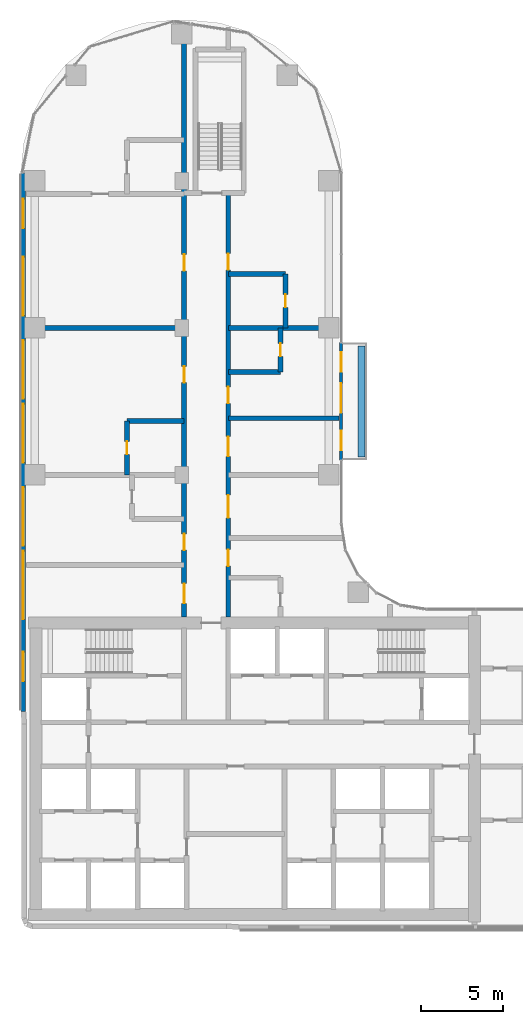
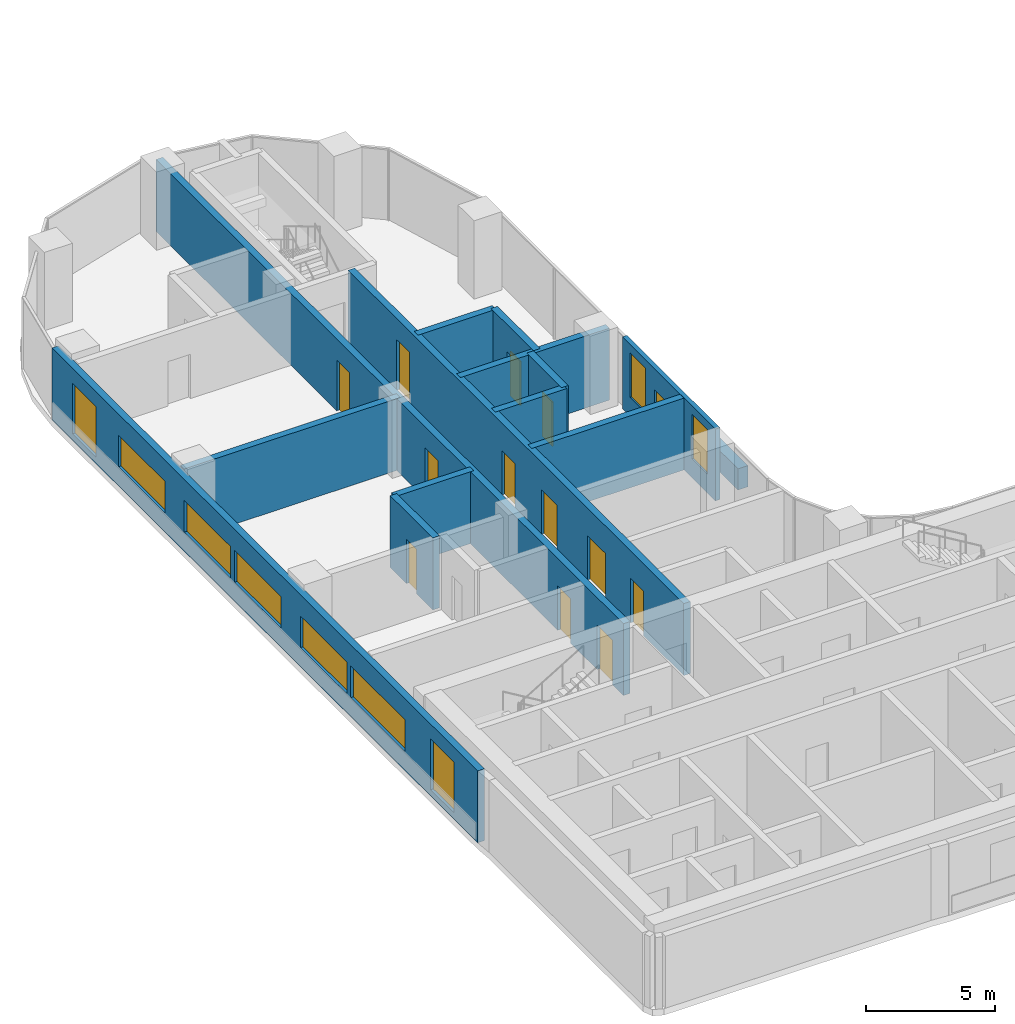
# One storey, part 22 of 35: 14 walls, 13 doors, 9 windows, 22 openings.
"""IFC4 building model written with IfcOpenShell, lengths in metres."""

from ifc_helpers import new_model, si_unit, direction, frame, frame_2d, origin, origin_2d, place, context, subcontext, project, spatial, rectangle, extrude, material, layer, layer_set, type_object, element, fill, save


model = new_model("IFC4")

# Units and contexts
model_context = context("Model", 3, precision=1e-05, world=origin(), true_north=direction((0.0, 1.0)))
body_context = subcontext(model_context, "Body", "Model", "MODEL_VIEW")
ifc_project = project(units=[si_unit("LENGTHUNIT", "METRE"), si_unit("AREAUNIT", "SQUARE_METRE"), si_unit("VOLUMEUNIT", "CUBIC_METRE"), si_unit("PLANEANGLEUNIT", "RADIAN"), si_unit("MASSUNIT", "GRAM", prefix="KILO")], contexts=[model_context])

# Site, building, storey
site_placement = place(None, origin())
site = spatial("IfcSite", under=ifc_project, at=site_placement, CompositionType="ELEMENT")
building_placement = place(site_placement, origin())
building = spatial("IfcBuilding", under=site, at=building_placement, Name="Ogive Portal Towers", CompositionType="ELEMENT")
storey_placement = place(building_placement, frame((0.0, 0.0, 90.800048828125)))
storey = spatial("IfcBuildingStorey", under=building, at=storey_placement, Name="L21", CompositionType="ELEMENT", Elevation=90.800048828125)

# Wall, openings, door, windows
ifc_material_1 = material(Name="Limestone cladding on lightweight block wall", Category="masonry")
ifc_layer_1 = layer(ifc_material_1, 0.199951171875)
ifc_layer_set_1 = layer_set([ifc_layer_1], Name="BALCONY BAY WALL 200")
wall_type_1 = type_object("IfcWallType", Name="BALCONY BAY WALL 200", PredefinedType="SOLIDWALL", material=ifc_layer_set_1)
wall_1_placement = place(storey_placement, frame((50.2548828125, 56.60009765625, 0.0), z_axis=(0.0, 0.0, 1.0), x_axis=(0.0, -1.0, 0.0)))
wall_1 = element("IfcWall", 1, at=wall_1_placement, inside=storey, type_object=wall_type_1, Name="A:L21:f17:bay0", PredefinedType="SOLIDWALL", context=body_context, shape_type="SweptSolid", body=[
    extrude(rectangle(XDim=7.2001953125, YDim=0.199951171875, at=frame_2d((3.60009765625, 0.0))), origin(), (0.0, 0.0, 1.0), 3.39990234375),
])
opening_1_placement = place(wall_1_placement, frame((2.5, 0.0, 0.0)))
opening_1 = element("IfcOpeningElement", 2, at=opening_1_placement, cuts=wall_1, Name="Opening DX031", PredefinedType="OPENING", context=body_context, shape_type="SweptSolid", body=[
    extrude(rectangle(XDim=1.800048828125, YDim=2.39990234375, at=frame_2d((0.89990234375, 1.199951171875))), frame((0.0, 0.10986328125, 0.0), z_axis=(0.0, -1.0, 0.0), x_axis=(1.0, 0.0, 0.0)), (0.0, 0.0, 1.0), 0.219970703125),
])
opening_2_placement = place(wall_1_placement, frame((5.39990234375, 0.0, 0.89990234375)))
opening_2 = element("IfcOpeningElement", 3, at=opening_2_placement, cuts=wall_1, Name="Opening WN2", PredefinedType="OPENING", context=body_context, shape_type="SweptSolid", body=[
    extrude(rectangle(XDim=1.199951171875, YDim=2.10009765625, at=frame_2d((0.60009765625, 1.050048828125))), frame((0.0, 0.10986328125, 0.0), z_axis=(0.0, -1.0, 0.0), x_axis=(1.0, 0.0, 0.0)), (0.0, 0.0, 1.0), 0.219970703125),
])
opening_3_placement = place(wall_1_placement, frame((0.60009765625, 0.0, 0.89990234375)))
opening_3 = element("IfcOpeningElement", 4, at=opening_3_placement, cuts=wall_1, Name="Opening WN2", PredefinedType="OPENING", context=body_context, shape_type="SweptSolid", body=[
    extrude(rectangle(XDim=1.199951171875, YDim=2.10009765625, at=frame_2d((0.60009765625, 1.050048828125))), frame((0.0, 0.10986328125, 0.0), z_axis=(0.0, -1.0, 0.0), x_axis=(1.0, 0.0, 0.0)), (0.0, 0.0, 1.0), 0.219970703125),
])
ifc_material_2 = material(Name="Aluminium 6063 anodised", Category="aluminium")
door_type_1 = type_object("IfcDoorType", Name="BALCONY DOOR 1800x2400", OperationType="DOUBLE_DOOR_SINGLE_SWING", PredefinedType="DOOR", material=ifc_material_2)
door_1_placement = place(opening_1_placement, origin())
door_1 = element("IfcDoor", 5, at=door_1_placement, inside=storey, type_object=door_type_1, Name="A:L21:f17:bay0/o0", OperationType="SINGLE_SWING_LEFT", OverallHeight=2.39990234375, OverallWidth=1.800048828125, PredefinedType="DOOR", context=body_context, shape_type="SweptSolid", body=[
    extrude(rectangle(XDim=1.800048828125, YDim=2.39990234375, at=frame_2d((0.89990234375, 1.199951171875))), frame((0.0, 0.02490234375, 0.0), z_axis=(0.0, -1.0, 0.0), x_axis=(1.0, 0.0, 0.0)), (0.0, 0.0, 1.0), 0.050048828125),
])
fill(opening_1, door_1)
ifc_material_3 = material(Name="Glass, clear low-iron insulated glazing", Category="glass")
window_type_1 = type_object("IfcWindowType", Name="WINDOW BALCONY BAY 1200x2100", PartitioningType="SINGLE_PANEL", PredefinedType="WINDOW", material=ifc_material_3)
window_1_placement = place(opening_2_placement, origin())
window_1 = element("IfcWindow", 6, at=window_1_placement, inside=storey, type_object=window_type_1, Name="A:L21:f17:bay0/o1", OverallHeight=2.10009765625, OverallWidth=1.199951171875, PartitioningType="SINGLE_PANEL", PredefinedType="WINDOW", context=body_context, shape_type="SweptSolid", body=[
    extrude(rectangle(XDim=1.199951171875, YDim=2.10009765625, at=frame_2d((0.60009765625, 1.050048828125))), frame((0.0, 0.030029296875, 0.0), z_axis=(0.0, -1.0, 0.0), x_axis=(1.0, 0.0, 0.0)), (0.0, 0.0, 1.0), 0.06005859375),
])
fill(opening_2, window_1)
window_2_placement = place(opening_3_placement, origin())
window_2 = element("IfcWindow", 7, at=window_2_placement, inside=storey, type_object=window_type_1, Name="A:L21:f17:bay0/o2", OverallHeight=2.10009765625, OverallWidth=1.199951171875, PartitioningType="SINGLE_PANEL", PredefinedType="WINDOW", context=body_context, shape_type="SweptSolid", body=[
    extrude(rectangle(XDim=1.199951171875, YDim=2.10009765625, at=frame_2d((0.60009765625, 1.050048828125))), frame((0.0, 0.030029296875, 0.0), z_axis=(0.0, -1.0, 0.0), x_axis=(1.0, 0.0, 0.0)), (0.0, 0.0, 1.0), 0.06005859375),
])
fill(opening_3, window_2)

# Wall, openings, windows
ifc_layer_2 = layer(ifc_material_1, 0.300048828125)
ifc_layer_set_2 = layer_set([ifc_layer_2], Name="EXTERNAL WALL 300 STONE")
wall_type_2 = type_object("IfcWallType", Name="EXTERNAL WALL 300 STONE", PredefinedType="SOLIDWALL", material=ifc_layer_set_2)
wall_2_placement = place(storey_placement, frame((30.794921875, 66.9921875, 0.0), z_axis=(0.0, 0.0, 1.0), x_axis=(0.0, -1.0, 0.0)))
wall_2 = element("IfcWall", 8, at=wall_2_placement, inside=storey, type_object=wall_type_2, Name="A:L21:f24:r0:wall", PredefinedType="SOLIDWALL", context=body_context, shape_type="SweptSolid", body=[
    extrude(rectangle(XDim=32.9814453125, YDim=0.300048828125, at=frame_2d((16.49072265625, 0.0))), origin(), (0.0, 0.0, 1.0), 3.39990234375),
])
opening_4_placement = place(wall_2_placement, frame((1.595947265625, 0.0, 0.300048828125)))
opening_4 = element("IfcOpeningElement", 9, at=opening_4_placement, cuts=wall_2, Name="Opening WN10", PredefinedType="OPENING", context=body_context, shape_type="SweptSolid", body=[
    extrude(rectangle(XDim=1.800048828125, YDim=2.39990234375, at=frame_2d((0.89990234375, 1.199951171875))), frame((0.0, 0.16015625, 0.0), z_axis=(0.0, -1.0, 0.0), x_axis=(1.0, 0.0, 0.0)), (0.0, 0.0, 1.0), 0.320068359375),
])
opening_5_placement = place(wall_2_placement, frame((5.14208984375, 0.0, 0.89990234375)))
opening_5 = element("IfcOpeningElement", 10, at=opening_5_placement, cuts=wall_2, Name="Opening WN12", PredefinedType="OPENING", context=body_context, shape_type="SweptSolid", body=[
    extrude(rectangle(XDim=3.60009765625, YDim=1.5, at=frame_2d((1.800048828125, 0.75))), frame((0.0, 0.16015625, 0.0), z_axis=(0.0, -1.0, 0.0), x_axis=(1.0, 0.0, 0.0)), (0.0, 0.0, 1.0), 0.320068359375),
])
opening_6_placement = place(wall_2_placement, frame((10.2421875, 0.0, 0.89990234375)))
opening_6 = element("IfcOpeningElement", 11, at=opening_6_placement, cuts=wall_2, Name="Opening WN12", PredefinedType="OPENING", context=body_context, shape_type="SweptSolid", body=[
    extrude(rectangle(XDim=3.60009765625, YDim=1.5, at=frame_2d((1.800048828125, 0.75))), frame((0.0, 0.16015625, 0.0), z_axis=(0.0, -1.0, 0.0), x_axis=(1.0, 0.0, 0.0)), (0.0, 0.0, 1.0), 0.320068359375),
])
opening_7_placement = place(wall_2_placement, frame((14.14208984375, 0.0, 0.89990234375)))
opening_7 = element("IfcOpeningElement", 12, at=opening_7_placement, cuts=wall_2, Name="Opening WN12", PredefinedType="OPENING", context=body_context, shape_type="SweptSolid", body=[
    extrude(rectangle(XDim=3.60009765625, YDim=1.5, at=frame_2d((1.800048828125, 0.75))), frame((0.0, 0.16015625, 0.0), z_axis=(0.0, -1.0, 0.0), x_axis=(1.0, 0.0, 0.0)), (0.0, 0.0, 1.0), 0.320068359375),
])
opening_8_placement = place(wall_2_placement, frame((19.2421875, 0.0, 0.89990234375)))
opening_8 = element("IfcOpeningElement", 13, at=opening_8_placement, cuts=wall_2, Name="Opening WN12", PredefinedType="OPENING", context=body_context, shape_type="SweptSolid", body=[
    extrude(rectangle(XDim=3.60009765625, YDim=1.5, at=frame_2d((1.800048828125, 0.75))), frame((0.0, 0.16015625, 0.0), z_axis=(0.0, -1.0, 0.0), x_axis=(1.0, 0.0, 0.0)), (0.0, 0.0, 1.0), 0.320068359375),
])
opening_9_placement = place(wall_2_placement, frame((23.14208984375, 0.0, 0.89990234375)))
opening_9 = element("IfcOpeningElement", 14, at=opening_9_placement, cuts=wall_2, Name="Opening WN11", PredefinedType="OPENING", context=body_context, shape_type="SweptSolid", body=[
    extrude(rectangle(XDim=4.199951171875, YDim=1.5, at=frame_2d((2.10009765625, 0.75))), frame((0.0, 0.16015625, 0.0), z_axis=(0.0, -1.0, 0.0), x_axis=(1.0, 0.0, 0.0)), (0.0, 0.0, 1.0), 0.320068359375),
])
opening_10_placement = place(wall_2_placement, frame((29.336669921875, 0.0, 0.300048828125)))
opening_10 = element("IfcOpeningElement", 15, at=opening_10_placement, cuts=wall_2, Name="Opening WN10", PredefinedType="OPENING", context=body_context, shape_type="SweptSolid", body=[
    extrude(rectangle(XDim=1.800048828125, YDim=2.39990234375, at=frame_2d((0.89990234375, 1.199951171875))), frame((0.0, 0.16015625, 0.0), z_axis=(0.0, -1.0, 0.0), x_axis=(1.0, 0.0, 0.0)), (0.0, 0.0, 1.0), 0.320068359375),
])
window_type_2 = type_object("IfcWindowType", Name="WINDOW RIBBON 3600x1500", PartitioningType="TRIPLE_PANEL_VERTICAL", PredefinedType="WINDOW", material=ifc_material_3)
window_3_placement = place(opening_5_placement, origin())
window_3 = element("IfcWindow", 16, at=window_3_placement, inside=storey, type_object=window_type_2, Name="A:L21:f24:r0:w1", OverallHeight=1.5, OverallWidth=3.60009765625, PartitioningType="SINGLE_PANEL", PredefinedType="WINDOW", context=body_context, shape_type="SweptSolid", body=[
    extrude(rectangle(XDim=3.60009765625, YDim=1.5, at=frame_2d((1.800048828125, 0.75))), frame((0.0, 0.030029296875, 0.0), z_axis=(0.0, -1.0, 0.0), x_axis=(1.0, 0.0, 0.0)), (0.0, 0.0, 1.0), 0.06005859375),
])
fill(opening_5, window_3)
window_4_placement = place(opening_6_placement, origin())
window_4 = element("IfcWindow", 17, at=window_4_placement, inside=storey, type_object=window_type_2, Name="A:L21:f24:r0:w2", OverallHeight=1.5, OverallWidth=3.60009765625, PartitioningType="SINGLE_PANEL", PredefinedType="WINDOW", context=body_context, shape_type="SweptSolid", body=[
    extrude(rectangle(XDim=3.60009765625, YDim=1.5, at=frame_2d((1.800048828125, 0.75))), frame((0.0, 0.030029296875, 0.0), z_axis=(0.0, -1.0, 0.0), x_axis=(1.0, 0.0, 0.0)), (0.0, 0.0, 1.0), 0.06005859375),
])
fill(opening_6, window_4)
window_5_placement = place(opening_7_placement, origin())
window_5 = element("IfcWindow", 18, at=window_5_placement, inside=storey, type_object=window_type_2, Name="A:L21:f24:r0:w3", OverallHeight=1.5, OverallWidth=3.60009765625, PartitioningType="SINGLE_PANEL", PredefinedType="WINDOW", context=body_context, shape_type="SweptSolid", body=[
    extrude(rectangle(XDim=3.60009765625, YDim=1.5, at=frame_2d((1.800048828125, 0.75))), frame((0.0, 0.030029296875, 0.0), z_axis=(0.0, -1.0, 0.0), x_axis=(1.0, 0.0, 0.0)), (0.0, 0.0, 1.0), 0.06005859375),
])
fill(opening_7, window_5)
window_6_placement = place(opening_8_placement, origin())
window_6 = element("IfcWindow", 19, at=window_6_placement, inside=storey, type_object=window_type_2, Name="A:L21:f24:r0:w4", OverallHeight=1.5, OverallWidth=3.60009765625, PartitioningType="SINGLE_PANEL", PredefinedType="WINDOW", context=body_context, shape_type="SweptSolid", body=[
    extrude(rectangle(XDim=3.60009765625, YDim=1.5, at=frame_2d((1.800048828125, 0.75))), frame((0.0, 0.030029296875, 0.0), z_axis=(0.0, -1.0, 0.0), x_axis=(1.0, 0.0, 0.0)), (0.0, 0.0, 1.0), 0.06005859375),
])
fill(opening_8, window_6)
window_type_3 = type_object("IfcWindowType", Name="WINDOW RIBBON 4200x1500", PartitioningType="TRIPLE_PANEL_VERTICAL", PredefinedType="WINDOW", material=ifc_material_3)
window_7_placement = place(opening_9_placement, origin())
window_7 = element("IfcWindow", 20, at=window_7_placement, inside=storey, type_object=window_type_3, Name="A:L21:f24:r0:w5", OverallHeight=1.5, OverallWidth=4.199951171875, PartitioningType="SINGLE_PANEL", PredefinedType="WINDOW", context=body_context, shape_type="SweptSolid", body=[
    extrude(rectangle(XDim=4.199951171875, YDim=1.5, at=frame_2d((2.10009765625, 0.75))), frame((0.0, 0.030029296875, 0.0), z_axis=(0.0, -1.0, 0.0), x_axis=(1.0, 0.0, 0.0)), (0.0, 0.0, 1.0), 0.06005859375),
])
fill(opening_9, window_7)
window_type_4 = type_object("IfcWindowType", Name="WINDOW SUITE CORNER 1800x2400", PartitioningType="DOUBLE_PANEL_VERTICAL", PredefinedType="WINDOW", material=ifc_material_3)
window_8_placement = place(opening_4_placement, origin())
window_8 = element("IfcWindow", 21, at=window_8_placement, inside=storey, type_object=window_type_4, Name="A:L21:f24:r0:w0", OverallHeight=2.39990234375, OverallWidth=1.800048828125, PartitioningType="SINGLE_PANEL", PredefinedType="WINDOW", context=body_context, shape_type="SweptSolid", body=[
    extrude(rectangle(XDim=1.800048828125, YDim=2.39990234375, at=frame_2d((0.89990234375, 1.199951171875))), frame((0.0, 0.030029296875, 0.0), z_axis=(0.0, -1.0, 0.0), x_axis=(1.0, 0.0, 0.0)), (0.0, 0.0, 1.0), 0.06005859375),
])
fill(opening_4, window_8)
window_9_placement = place(opening_10_placement, origin())
window_9 = element("IfcWindow", 22, at=window_9_placement, inside=storey, type_object=window_type_4, Name="A:L21:f24:r0:w6", OverallHeight=2.39990234375, OverallWidth=1.800048828125, PartitioningType="SINGLE_PANEL", PredefinedType="WINDOW", context=body_context, shape_type="SweptSolid", body=[
    extrude(rectangle(XDim=1.800048828125, YDim=2.39990234375, at=frame_2d((0.89990234375, 1.199951171875))), frame((0.0, 0.030029296875, 0.0), z_axis=(0.0, -1.0, 0.0), x_axis=(1.0, 0.0, 0.0)), (0.0, 0.0, 1.0), 0.06005859375),
])
fill(opening_10, window_9)

# Walls
ifc_material_4 = material(Name="Concrete C40/50", Category="concrete")
ifc_layer_3 = layer(ifc_material_4, 0.449951171875)
ifc_layer_set_3 = layer_set([ifc_layer_3], Name="PLANTER WALL 450")
wall_type_3 = type_object("IfcWallType", Name="PLANTER WALL 450", PredefinedType="SOLIDWALL", material=ifc_layer_set_3)
wall_3_placement = place(storey_placement, frame((51.510009765625, 53.0, 0.0), z_axis=(0.0, 0.0, 1.0), x_axis=(1.0, 0.0, 0.0)))
element("IfcWall", 23, at=wall_3_placement, inside=storey, type_object=wall_type_3, Name="Planter S1", PredefinedType="SOLIDWALL", context=body_context, shape_type="SweptSolid", body=[
    extrude(rectangle(XDim=0.449951171875, YDim=6.800048828125, at=origin_2d()), origin(), (0.0, 0.0, 1.0), 1.0),
])
ifc_material_5 = material(Name="Gypsum board partition on steel studs", Category="steel")
ifc_layer_4 = layer(ifc_material_5, 0.300048828125)
ifc_layer_set_4 = layer_set([ifc_layer_4], Name="WT-PART-300-EI 60")
wall_type_4 = type_object("IfcWallType", Name="WT-PART-300-EI 60", PredefinedType="PARTITIONING", material=ifc_layer_set_4)
wall_4_placement = place(storey_placement, frame((37.14990234375, 51.800048828125, 0.0), z_axis=(0.0, 0.0, 1.0), x_axis=(1.0, 0.0, 0.0)))
element("IfcWall", 24, at=wall_4_placement, inside=storey, type_object=wall_type_4, Name="Wall L21:w022", PredefinedType="PARTITIONING", context=body_context, shape_type="SweptSolid", body=[
    extrude(rectangle(XDim=3.5, YDim=0.300048828125, at=frame_2d((1.75, 0.0))), origin(), (0.0, 0.0, 1.0), 3.39990234375),
])
wall_5_placement = place(storey_placement, frame((43.35009765625, 51.969970703125, 0.0), z_axis=(0.0, 0.0, 1.0), x_axis=(1.0, 0.0, 0.0)))
element("IfcWall", 25, at=wall_5_placement, inside=storey, type_object=wall_type_4, Name="Wall L21:w023", PredefinedType="PARTITIONING", context=body_context, shape_type="SweptSolid", body=[
    extrude(rectangle(XDim=6.794921875, YDim=0.300048828125, at=frame_2d((3.3974609375, 0.0))), origin(), (0.0, 0.0, 1.0), 3.39990234375),
])
wall_6_placement = place(storey_placement, frame((43.35009765625, 54.800048828125, 0.0), z_axis=(0.0, 0.0, 1.0), x_axis=(1.0, 0.0, 0.0)))
element("IfcWall", 26, at=wall_6_placement, inside=storey, type_object=wall_type_4, Name="Wall L21:w024", PredefinedType="PARTITIONING", context=body_context, shape_type="SweptSolid", body=[
    extrude(rectangle(XDim=3.199951171875, YDim=0.300048828125, at=frame_2d((1.60009765625, 0.0))), origin(), (0.0, 0.0, 1.0), 3.39990234375),
])
wall_7_placement = place(storey_placement, frame((30.9951171875, 57.5, 0.0), z_axis=(0.0, 0.0, 1.0), x_axis=(1.0, 0.0, 0.0)))
element("IfcWall", 27, at=wall_7_placement, inside=storey, type_object=wall_type_4, Name="Wall L21:w025", PredefinedType="PARTITIONING", context=body_context, shape_type="SweptSolid", body=[
    extrude(rectangle(XDim=9.65478515625, YDim=0.300048828125, at=frame_2d((4.827392578125, 0.0))), origin(), (0.0, 0.0, 1.0), 3.39990234375),
])
wall_8_placement = place(storey_placement, frame((43.35009765625, 57.5, 0.0), z_axis=(0.0, 0.0, 1.0), x_axis=(1.0, 0.0, 0.0)))
element("IfcWall", 28, at=wall_8_placement, inside=storey, type_object=wall_type_4, Name="Wall L21:w026", PredefinedType="PARTITIONING", context=body_context, shape_type="SweptSolid", body=[
    extrude(rectangle(XDim=6.65478515625, YDim=0.300048828125, at=frame_2d((3.327392578125, 0.0))), origin(), (0.0, 0.0, 1.0), 3.39990234375),
])
wall_9_placement = place(storey_placement, frame((43.35009765625, 60.800048828125, 0.0), z_axis=(0.0, 0.0, 1.0), x_axis=(1.0, 0.0, 0.0)))
element("IfcWall", 29, at=wall_9_placement, inside=storey, type_object=wall_type_4, Name="Wall L21:w027", PredefinedType="PARTITIONING", context=body_context, shape_type="SweptSolid", body=[
    extrude(rectangle(XDim=3.5, YDim=0.300048828125, at=frame_2d((1.75, 0.0))), origin(), (0.0, 0.0, 1.0), 3.39990234375),
])

# Wall, opening, door
wall_10_placement = place(storey_placement, frame((37.14990234375, 48.5, 0.0), z_axis=(0.0, 0.0, 1.0), x_axis=(0.0, 1.0, 0.0)))
wall_10 = element("IfcWall", 30, at=wall_10_placement, inside=storey, type_object=wall_type_4, Name="Wall L21:w032", PredefinedType="PARTITIONING", context=body_context, shape_type="SweptSolid", body=[
    extrude(rectangle(XDim=3.300048828125, YDim=0.300048828125, at=frame_2d((1.64990234375, 0.0))), origin(), (0.0, 0.0, 1.0), 3.39990234375),
])
opening_11_placement = place(wall_10_placement, frame((1.25, 0.0, 0.0)))
opening_11 = element("IfcOpeningElement", 31, at=opening_11_placement, cuts=wall_10, Name="Opening D07-054", PredefinedType="OPENING", context=body_context, shape_type="SweptSolid", body=[
    extrude(rectangle(XDim=0.800048828125, YDim=2.10009765625, at=frame_2d((0.39990234375, 1.050048828125))), frame((0.0, 0.16015625, 0.0), z_axis=(0.0, -1.0, 0.0), x_axis=(1.0, 0.0, 0.0)), (0.0, 0.0, 1.0), 0.320068359375),
])
ifc_material_6 = material(Name="Steel fire door", Category="steel")
door_type_2 = type_object("IfcDoorType", Name="DT-BATH-800x2100-FD60S", OperationType="SINGLE_SWING_LEFT", PredefinedType="DOOR", material=ifc_material_6)
door_2_placement = place(opening_11_placement, origin())
door_2 = element("IfcDoor", 32, at=door_2_placement, inside=storey, type_object=door_type_2, Name="Door D07-054", OperationType="SINGLE_SWING_RIGHT", OverallHeight=2.10009765625, OverallWidth=0.800048828125, PredefinedType="DOOR", context=body_context, shape_type="SweptSolid", body=[
    extrude(rectangle(XDim=0.800048828125, YDim=2.10009765625, at=frame_2d((0.39990234375, 1.050048828125))), frame((0.0, 0.02490234375, 0.0), z_axis=(0.0, -1.0, 0.0), x_axis=(1.0, 0.0, 0.0)), (0.0, 0.0, 1.0), 0.050048828125),
])
fill(opening_11, door_2)

# Wall, openings, doors
wall_11_placement = place(storey_placement, frame((40.64990234375, 39.800048828125, 0.0), z_axis=(0.0, 0.0, 1.0), x_axis=(0.0, 1.0, 0.0)))
wall_11 = element("IfcWall", 33, at=wall_11_placement, inside=storey, type_object=wall_type_4, Name="Wall L21:w035", PredefinedType="PARTITIONING", context=body_context, shape_type="SweptSolid", body=[
    extrude(rectangle(XDim=36.204833984375, YDim=0.300048828125, at=frame_2d((18.1025390625, 0.0))), origin(), (0.0, 0.0, 1.0), 3.39990234375),
])
opening_12_placement = place(wall_11_placement, frame((0.8349609375, 0.0, 0.0)))
opening_12 = element("IfcOpeningElement", 34, at=opening_12_placement, cuts=wall_11, Name="Opening D07-048", PredefinedType="OPENING", context=body_context, shape_type="SweptSolid", body=[
    extrude(rectangle(XDim=1.199951171875, YDim=2.10009765625, at=frame_2d((0.60009765625, 1.050048828125))), frame((0.0, 0.16015625, 0.0), z_axis=(0.0, -1.0, 0.0), x_axis=(1.0, 0.0, 0.0)), (0.0, 0.0, 1.0), 0.320068359375),
])
opening_13_placement = place(wall_11_placement, frame((4.0849609375, 0.0, 0.0)))
opening_13 = element("IfcOpeningElement", 35, at=opening_13_placement, cuts=wall_11, Name="Opening D07-050", PredefinedType="OPENING", context=body_context, shape_type="SweptSolid", body=[
    extrude(rectangle(XDim=1.0, YDim=2.10009765625, at=frame_2d((0.5, 1.050048828125))), frame((0.0, 0.16015625, 0.0), z_axis=(0.0, -1.0, 0.0), x_axis=(1.0, 0.0, 0.0)), (0.0, 0.0, 1.0), 0.320068359375),
])
opening_14_placement = place(wall_11_placement, frame((14.35009765625, 0.0, 0.0)))
opening_14 = element("IfcOpeningElement", 36, at=opening_14_placement, cuts=wall_11, Name="Opening D07-055", PredefinedType="OPENING", context=body_context, shape_type="SweptSolid", body=[
    extrude(rectangle(XDim=1.0, YDim=2.39990234375, at=frame_2d((0.5, 1.199951171875))), frame((0.0, 0.16015625, 0.0), z_axis=(0.0, -1.0, 0.0), x_axis=(1.0, 0.0, 0.0)), (0.0, 0.0, 1.0), 0.320068359375),
])
opening_15_placement = place(wall_11_placement, frame((21.199951171875, 0.0, 0.0)))
opening_15 = element("IfcOpeningElement", 37, at=opening_15_placement, cuts=wall_11, Name="Opening D07-058", PredefinedType="OPENING", context=body_context, shape_type="SweptSolid", body=[
    extrude(rectangle(XDim=1.0, YDim=2.39990234375, at=frame_2d((0.5, 1.199951171875))), frame((0.0, 0.16015625, 0.0), z_axis=(0.0, -1.0, 0.0), x_axis=(1.0, 0.0, 0.0)), (0.0, 0.0, 1.0), 0.320068359375),
])
door_type_3 = type_object("IfcDoorType", Name="DT-ENTRY-1000x2100-FD60S", OperationType="SINGLE_SWING_LEFT", PredefinedType="DOOR", material=ifc_material_6)
door_3_placement = place(opening_13_placement, origin())
door_3 = element("IfcDoor", 38, at=door_3_placement, inside=storey, type_object=door_type_3, Name="Door D07-050", OperationType="SINGLE_SWING_RIGHT", OverallHeight=2.10009765625, OverallWidth=1.0, PredefinedType="DOOR", context=body_context, shape_type="SweptSolid", body=[
    extrude(rectangle(XDim=1.0, YDim=2.10009765625, at=frame_2d((0.5, 1.050048828125))), frame((0.0, 0.02490234375, 0.0), z_axis=(0.0, -1.0, 0.0), x_axis=(1.0, 0.0, 0.0)), (0.0, 0.0, 1.0), 0.050048828125),
])
fill(opening_13, door_3)
door_type_4 = type_object("IfcDoorType", Name="DT-ENTRY-1000x2400-FD60S", OperationType="SINGLE_SWING_LEFT", PredefinedType="DOOR", material=ifc_material_6)
door_4_placement = place(opening_14_placement, origin())
door_4 = element("IfcDoor", 39, at=door_4_placement, inside=storey, type_object=door_type_4, Name="Door D07-055", OperationType="SINGLE_SWING_LEFT", OverallHeight=2.39990234375, OverallWidth=1.0, PredefinedType="DOOR", context=body_context, shape_type="SweptSolid", body=[
    extrude(rectangle(XDim=1.0, YDim=2.39990234375, at=frame_2d((0.5, 1.199951171875))), frame((0.0, 0.02490234375, 0.0), z_axis=(0.0, -1.0, 0.0), x_axis=(1.0, 0.0, 0.0)), (0.0, 0.0, 1.0), 0.050048828125),
])
fill(opening_14, door_4)
door_5_placement = place(opening_15_placement, origin())
door_5 = element("IfcDoor", 40, at=door_5_placement, inside=storey, type_object=door_type_4, Name="Door D07-058", OperationType="SINGLE_SWING_RIGHT", OverallHeight=2.39990234375, OverallWidth=1.0, PredefinedType="DOOR", context=body_context, shape_type="SweptSolid", body=[
    extrude(rectangle(XDim=1.0, YDim=2.39990234375, at=frame_2d((0.5, 1.199951171875))), frame((0.0, 0.02490234375, 0.0), z_axis=(0.0, -1.0, 0.0), x_axis=(1.0, 0.0, 0.0)), (0.0, 0.0, 1.0), 0.050048828125),
])
fill(opening_15, door_5)
door_type_5 = type_object("IfcDoorType", Name="DT-ENTRY-1200x2100-FD60S", OperationType="SINGLE_SWING_LEFT", PredefinedType="DOOR", material=ifc_material_6)
door_6_placement = place(opening_12_placement, origin())
door_6 = element("IfcDoor", 41, at=door_6_placement, inside=storey, type_object=door_type_5, Name="Door D07-048", OperationType="SINGLE_SWING_LEFT", OverallHeight=2.10009765625, OverallWidth=1.199951171875, PredefinedType="DOOR", context=body_context, shape_type="SweptSolid", body=[
    extrude(rectangle(XDim=1.199951171875, YDim=2.10009765625, at=frame_2d((0.60009765625, 1.050048828125))), frame((0.0, 0.02490234375, 0.0), z_axis=(0.0, -1.0, 0.0), x_axis=(1.0, 0.0, 0.0)), (0.0, 0.0, 1.0), 0.050048828125),
])
fill(opening_12, door_6)

# Wall, opening, door
wall_12_placement = place(storey_placement, frame((46.550048828125, 54.800048828125, 0.0), z_axis=(0.0, 0.0, 1.0), x_axis=(0.0, 1.0, 0.0)))
wall_12 = element("IfcWall", 42, at=wall_12_placement, inside=storey, type_object=wall_type_4, Name="Wall L21:w041", PredefinedType="PARTITIONING", context=body_context, shape_type="SweptSolid", body=[
    extrude(rectangle(XDim=2.699951171875, YDim=0.300048828125, at=frame_2d((1.35009765625, 0.0))), origin(), (0.0, 0.0, 1.0), 3.39990234375),
])
opening_16_placement = place(wall_12_placement, frame((0.949951171875, 0.0, 0.0)))
opening_16 = element("IfcOpeningElement", 43, at=opening_16_placement, cuts=wall_12, Name="Opening D07-052", PredefinedType="OPENING", context=body_context, shape_type="SweptSolid", body=[
    extrude(rectangle(XDim=0.800048828125, YDim=2.10009765625, at=frame_2d((0.39990234375, 1.050048828125))), frame((0.0, 0.16015625, 0.0), z_axis=(0.0, -1.0, 0.0), x_axis=(1.0, 0.0, 0.0)), (0.0, 0.0, 1.0), 0.320068359375),
])
door_7_placement = place(opening_16_placement, origin())
door_7 = element("IfcDoor", 44, at=door_7_placement, inside=storey, type_object=door_type_2, Name="Door D07-052", OperationType="SINGLE_SWING_LEFT", OverallHeight=2.10009765625, OverallWidth=0.800048828125, PredefinedType="DOOR", context=body_context, shape_type="SweptSolid", body=[
    extrude(rectangle(XDim=0.800048828125, YDim=2.10009765625, at=frame_2d((0.39990234375, 1.050048828125))), frame((0.0, 0.02490234375, 0.0), z_axis=(0.0, -1.0, 0.0), x_axis=(1.0, 0.0, 0.0)), (0.0, 0.0, 1.0), 0.050048828125),
])
fill(opening_16, door_7)

wall_13_placement = place(storey_placement, frame((46.85009765625, 57.5, 0.0), z_axis=(0.0, 0.0, 1.0), x_axis=(0.0, 1.0, 0.0)))
wall_13 = element("IfcWall", 45, at=wall_13_placement, inside=storey, type_object=wall_type_4, Name="Wall L21:w042", PredefinedType="PARTITIONING", context=body_context, shape_type="SweptSolid", body=[
    extrude(rectangle(XDim=3.300048828125, YDim=0.300048828125, at=frame_2d((1.64990234375, 0.0))), origin(), (0.0, 0.0, 1.0), 3.39990234375),
])
opening_17_placement = place(wall_13_placement, frame((1.25, 0.0, 0.0)))
opening_17 = element("IfcOpeningElement", 46, at=opening_17_placement, cuts=wall_13, Name="Opening D07-056", PredefinedType="OPENING", context=body_context, shape_type="SweptSolid", body=[
    extrude(rectangle(XDim=0.800048828125, YDim=2.10009765625, at=frame_2d((0.39990234375, 1.050048828125))), frame((0.0, 0.16015625, 0.0), z_axis=(0.0, -1.0, 0.0), x_axis=(1.0, 0.0, 0.0)), (0.0, 0.0, 1.0), 0.320068359375),
])
door_8_placement = place(opening_17_placement, origin())
door_8 = element("IfcDoor", 47, at=door_8_placement, inside=storey, type_object=door_type_2, Name="Door D07-056", OperationType="SINGLE_SWING_LEFT", OverallHeight=2.10009765625, OverallWidth=0.800048828125, PredefinedType="DOOR", context=body_context, shape_type="SweptSolid", body=[
    extrude(rectangle(XDim=0.800048828125, YDim=2.10009765625, at=frame_2d((0.39990234375, 1.050048828125))), frame((0.0, 0.02490234375, 0.0), z_axis=(0.0, -1.0, 0.0), x_axis=(1.0, 0.0, 0.0)), (0.0, 0.0, 1.0), 0.050048828125),
])
fill(opening_17, door_8)

# Wall, openings, doors
ifc_layer_5 = layer(ifc_material_4, 0.300048828125)
ifc_layer_set_5 = layer_set([ifc_layer_5], Name="WT-SHAFT-300")
wall_type_5 = type_object("IfcWallType", Name="WT-SHAFT-300", PredefinedType="SOLIDWALL", material=ifc_layer_set_5)
wall_14_placement = place(storey_placement, frame((43.35009765625, 39.800048828125, 0.0), z_axis=(0.0, 0.0, 1.0), x_axis=(0.0, 1.0, 0.0)))
wall_14 = element("IfcWall", 48, at=wall_14_placement, inside=storey, type_object=wall_type_5, Name="Wall L21:w037", PredefinedType="SOLIDWALL", context=body_context, shape_type="SweptSolid", body=[
    extrude(rectangle(XDim=26.0, YDim=0.300048828125, at=frame_2d((13.0, 0.0))), origin(), (0.0, 0.0, 1.0), 3.39990234375),
])
opening_18_placement = place(wall_14_placement, frame((3.114990234375, 0.0, 0.0)))
opening_18 = element("IfcOpeningElement", 49, at=opening_18_placement, cuts=wall_14, Name="Opening D07-046", PredefinedType="OPENING", context=body_context, shape_type="SweptSolid", body=[
    extrude(rectangle(XDim=1.0, YDim=2.10009765625, at=frame_2d((0.5, 1.050048828125))), frame((0.0, 0.16015625, 0.0), z_axis=(0.0, -1.0, 0.0), x_axis=(1.0, 0.0, 0.0)), (0.0, 0.0, 1.0), 0.320068359375),
])
opening_19_placement = place(wall_14_placement, frame((6.06494140625, 0.0, 0.0)))
opening_19 = element("IfcOpeningElement", 50, at=opening_19_placement, cuts=wall_14, Name="Opening D07-047", PredefinedType="OPENING", context=body_context, shape_type="SweptSolid", body=[
    extrude(rectangle(XDim=1.39990234375, YDim=2.10009765625, at=frame_2d((0.699951171875, 1.050048828125))), frame((0.0, 0.16015625, 0.0), z_axis=(0.0, -1.0, 0.0), x_axis=(1.0, 0.0, 0.0)), (0.0, 0.0, 1.0), 0.320068359375),
])
opening_20_placement = place(wall_14_placement, frame((9.8349609375, 0.0, 0.0)))
opening_20 = element("IfcOpeningElement", 51, at=opening_20_placement, cuts=wall_14, Name="Opening D07-051", PredefinedType="OPENING", context=body_context, shape_type="SweptSolid", body=[
    extrude(rectangle(XDim=1.199951171875, YDim=2.10009765625, at=frame_2d((0.60009765625, 1.050048828125))), frame((0.0, 0.16015625, 0.0), z_axis=(0.0, -1.0, 0.0), x_axis=(1.0, 0.0, 0.0)), (0.0, 0.0, 1.0), 0.320068359375),
])
opening_21_placement = place(wall_14_placement, frame((13.0849609375, 0.0, 0.0)))
opening_21 = element("IfcOpeningElement", 52, at=opening_21_placement, cuts=wall_14, Name="Opening D07-053", PredefinedType="OPENING", context=body_context, shape_type="SweptSolid", body=[
    extrude(rectangle(XDim=1.0, YDim=2.10009765625, at=frame_2d((0.5, 1.050048828125))), frame((0.0, 0.16015625, 0.0), z_axis=(0.0, -1.0, 0.0), x_axis=(1.0, 0.0, 0.0)), (0.0, 0.0, 1.0), 0.320068359375),
])
opening_22_placement = place(wall_14_placement, frame((21.25, 0.0, 0.0)))
opening_22 = element("IfcOpeningElement", 53, at=opening_22_placement, cuts=wall_14, Name="Opening D07-057", PredefinedType="OPENING", context=body_context, shape_type="SweptSolid", body=[
    extrude(rectangle(XDim=1.0, YDim=2.39990234375, at=frame_2d((0.5, 1.199951171875))), frame((0.0, 0.16015625, 0.0), z_axis=(0.0, -1.0, 0.0), x_axis=(1.0, 0.0, 0.0)), (0.0, 0.0, 1.0), 0.320068359375),
])
door_type_6 = type_object("IfcDoorType", Name="DT-ENTRY-1000x2100-FD90S", OperationType="SINGLE_SWING_LEFT", PredefinedType="DOOR", material=ifc_material_6)
door_9_placement = place(opening_18_placement, origin())
door_9 = element("IfcDoor", 54, at=door_9_placement, inside=storey, type_object=door_type_6, Name="Door D07-046", OperationType="SINGLE_SWING_LEFT", OverallHeight=2.10009765625, OverallWidth=1.0, PredefinedType="DOOR", context=body_context, shape_type="SweptSolid", body=[
    extrude(rectangle(XDim=1.0, YDim=2.10009765625, at=frame_2d((0.5, 1.050048828125))), frame((0.0, 0.02490234375, 0.0), z_axis=(0.0, -1.0, 0.0), x_axis=(1.0, 0.0, 0.0)), (0.0, 0.0, 1.0), 0.050048828125),
])
fill(opening_18, door_9)
door_10_placement = place(opening_21_placement, origin())
door_10 = element("IfcDoor", 55, at=door_10_placement, inside=storey, type_object=door_type_6, Name="Door D07-053", OperationType="SINGLE_SWING_RIGHT", OverallHeight=2.10009765625, OverallWidth=1.0, PredefinedType="DOOR", context=body_context, shape_type="SweptSolid", body=[
    extrude(rectangle(XDim=1.0, YDim=2.10009765625, at=frame_2d((0.5, 1.050048828125))), frame((0.0, 0.02490234375, 0.0), z_axis=(0.0, -1.0, 0.0), x_axis=(1.0, 0.0, 0.0)), (0.0, 0.0, 1.0), 0.050048828125),
])
fill(opening_21, door_10)
door_type_7 = type_object("IfcDoorType", Name="DT-ENTRY-1000x2400-FD90S", OperationType="SINGLE_SWING_LEFT", PredefinedType="DOOR", material=ifc_material_6)
door_11_placement = place(opening_22_placement, origin())
door_11 = element("IfcDoor", 56, at=door_11_placement, inside=storey, type_object=door_type_7, Name="Door D07-057", OperationType="SINGLE_SWING_LEFT", OverallHeight=2.39990234375, OverallWidth=1.0, PredefinedType="DOOR", context=body_context, shape_type="SweptSolid", body=[
    extrude(rectangle(XDim=1.0, YDim=2.39990234375, at=frame_2d((0.5, 1.199951171875))), frame((0.0, 0.02490234375, 0.0), z_axis=(0.0, -1.0, 0.0), x_axis=(1.0, 0.0, 0.0)), (0.0, 0.0, 1.0), 0.050048828125),
])
fill(opening_22, door_11)
door_type_8 = type_object("IfcDoorType", Name="DT-ENTRY-1200x2100-FD90S", OperationType="SINGLE_SWING_LEFT", PredefinedType="DOOR", material=ifc_material_6)
door_12_placement = place(opening_20_placement, origin())
door_12 = element("IfcDoor", 57, at=door_12_placement, inside=storey, type_object=door_type_8, Name="Door D07-051", OperationType="SINGLE_SWING_LEFT", OverallHeight=2.10009765625, OverallWidth=1.199951171875, PredefinedType="DOOR", context=body_context, shape_type="SweptSolid", body=[
    extrude(rectangle(XDim=1.199951171875, YDim=2.10009765625, at=frame_2d((0.60009765625, 1.050048828125))), frame((0.0, 0.02490234375, 0.0), z_axis=(0.0, -1.0, 0.0), x_axis=(1.0, 0.0, 0.0)), (0.0, 0.0, 1.0), 0.050048828125),
])
fill(opening_20, door_12)
door_type_9 = type_object("IfcDoorType", Name="DT-ENTRY-1400x2100-FD90S", OperationType="SINGLE_SWING_LEFT", PredefinedType="DOOR", material=ifc_material_6)
door_13_placement = place(opening_19_placement, origin())
door_13 = element("IfcDoor", 58, at=door_13_placement, inside=storey, type_object=door_type_9, Name="Door D07-047", OperationType="SINGLE_SWING_LEFT", OverallHeight=2.10009765625, OverallWidth=1.39990234375, PredefinedType="DOOR", context=body_context, shape_type="SweptSolid", body=[
    extrude(rectangle(XDim=1.39990234375, YDim=2.10009765625, at=frame_2d((0.699951171875, 1.050048828125))), frame((0.0, 0.02490234375, 0.0), z_axis=(0.0, -1.0, 0.0), x_axis=(1.0, 0.0, 0.0)), (0.0, 0.0, 1.0), 0.050048828125),
])
fill(opening_19, door_13)

save(model, "model.ifc")
